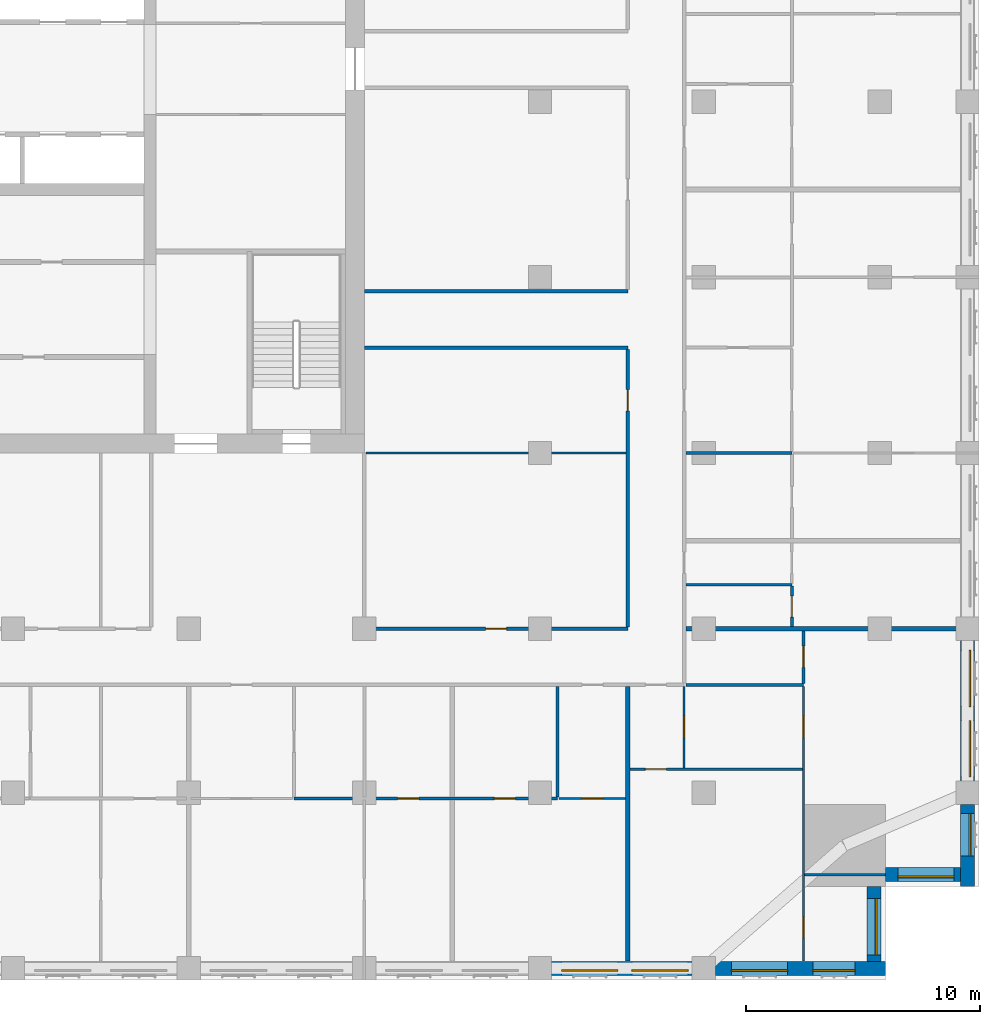
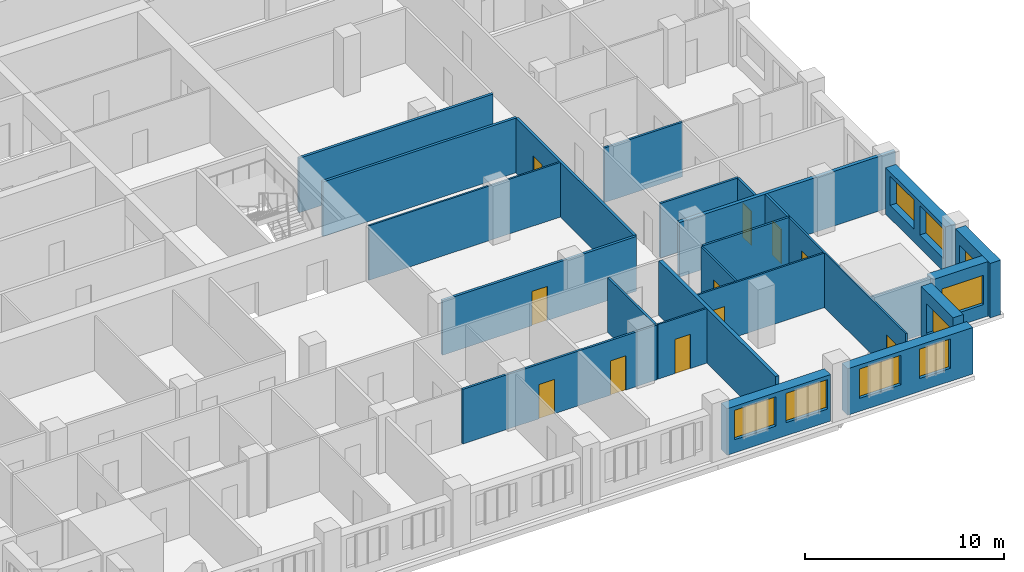
# One storey, part 6 of 14: 25 walls, 11 doors, 9 windows, 20 openings.
"""IFC4 building model written with IfcOpenShell, lengths in metres."""

from ifc_helpers import new_model, si_unit, direction, frame, frame_2d, origin, place, context, subcontext, project, spatial, rectangle, extrude, material, layer, layer_set, type_object, element, fill, save


model = new_model("IFC4")

# Units and contexts
model_context = context("Model", 3, precision=1e-05, world=origin(), true_north=direction((0.0, 1.0)))
body_context = subcontext(model_context, "Body", "Model", "MODEL_VIEW")
ifc_project = project(units=[si_unit("LENGTHUNIT", "METRE"), si_unit("AREAUNIT", "SQUARE_METRE"), si_unit("VOLUMEUNIT", "CUBIC_METRE"), si_unit("PLANEANGLEUNIT", "RADIAN"), si_unit("MASSUNIT", "GRAM", prefix="KILO")], contexts=[model_context])

# Site, building, storey
site_placement = place(None, origin())
site = spatial("IfcSite", under=ifc_project, at=site_placement, CompositionType="ELEMENT")
building_placement = place(site_placement, origin())
building = spatial("IfcBuilding", under=site, at=building_placement, Name="Tamorin Gate", CompositionType="ELEMENT")
storey_placement = place(building_placement, frame((0.0, 0.0, 151.800048828125)))
storey = spatial("IfcBuildingStorey", under=building, at=storey_placement, Name="L37", CompositionType="ELEMENT", Elevation=151.800048828125)

# Wall, openings, windows
ifc_material_1 = material(Name="Precast concrete C40/50", Category="concrete")
ifc_layer_1 = layer(ifc_material_1, 0.60009765625)
ifc_layer_set_1 = layer_set([ifc_layer_1], Name="Precast concrete C40/50")
wall_type_1 = type_object("IfcWallType", Name="Board-marked concrete facade panel 600", PredefinedType="SOLIDWALL", material=ifc_layer_set_1)
wall_1_placement = place(storey_placement, frame((68.0, 38.0, 0.0), z_axis=(0.0, 0.0, 1.0), x_axis=(1.0, 0.0, 0.0)))
wall_1 = element("IfcWall", 1, at=wall_1_placement, inside=storey, type_object=wall_type_1, Name="Facade panel", PredefinedType="SOLIDWALL", context=body_context, shape_type="SweptSolid", body=[
    extrude(rectangle(XDim=6.0, YDim=0.60009765625, at=frame_2d((3.0, 0.0))), origin(), (0.0, 0.0, 1.0), 2.849853515625),
])
opening_1_placement = place(wall_1_placement, frame((0.425048828125, 0.0, 0.800048828125)))
opening_1 = element("IfcOpeningElement", 2, at=opening_1_placement, cuts=wall_1, Name="Opening WN1", PredefinedType="OPENING", context=body_context, shape_type="SweptSolid", body=[
    extrude(rectangle(XDim=2.39990234375, YDim=1.800048828125, at=frame_2d((1.199951171875, 0.89990234375))), frame((0.0, 0.31005859375, 0.0), z_axis=(0.0, -1.0, 0.0), x_axis=(1.0, 0.0, 0.0)), (0.0, 0.0, 1.0), 0.6201171875),
])
opening_2_placement = place(wall_1_placement, frame((3.425048828125, 0.0, 0.800048828125)))
opening_2 = element("IfcOpeningElement", 3, at=opening_2_placement, cuts=wall_1, Name="Opening WN1", PredefinedType="OPENING", context=body_context, shape_type="SweptSolid", body=[
    extrude(rectangle(XDim=2.39990234375, YDim=1.800048828125, at=frame_2d((1.199951171875, 0.89990234375))), frame((0.0, 0.31005859375, 0.0), z_axis=(0.0, -1.0, 0.0), x_axis=(1.0, 0.0, 0.0)), (0.0, 0.0, 1.0), 0.6201171875),
])
ifc_material_2 = material(Name="Clear glass in aluminium frame", Category="aluminium")
window_type_1 = type_object("IfcWindowType", Name="Deep-set window 2400x1800", PartitioningType="SINGLE_PANEL", PredefinedType="WINDOW", material=ifc_material_2)
window_1_placement = place(opening_1_placement, origin())
window_1 = element("IfcWindow", 4, at=window_1_placement, inside=storey, type_object=window_type_1, Name="Deep-set window", OverallHeight=1.800048828125, OverallWidth=2.39990234375, PartitioningType="SINGLE_PANEL", PredefinedType="WINDOW", context=body_context, shape_type="SweptSolid", body=[
    extrude(rectangle(XDim=2.39990234375, YDim=1.800048828125, at=frame_2d((1.199951171875, 0.89990234375))), frame((0.0, -0.070068359375, 0.0), z_axis=(0.0, -1.0, 0.0), x_axis=(1.0, 0.0, 0.0)), (0.0, 0.0, 1.0), 0.06005859375),
])
fill(opening_1, window_1)
window_2_placement = place(opening_2_placement, origin())
window_2 = element("IfcWindow", 5, at=window_2_placement, inside=storey, type_object=window_type_1, Name="Deep-set window", OverallHeight=1.800048828125, OverallWidth=2.39990234375, PartitioningType="SINGLE_PANEL", PredefinedType="WINDOW", context=body_context, shape_type="SweptSolid", body=[
    extrude(rectangle(XDim=2.39990234375, YDim=1.800048828125, at=frame_2d((1.199951171875, 0.89990234375))), frame((0.0, -0.070068359375, 0.0), z_axis=(0.0, -1.0, 0.0), x_axis=(1.0, 0.0, 0.0)), (0.0, 0.0, 1.0), 0.06005859375),
])
fill(opening_2, window_2)

wall_2_placement = place(storey_placement, frame((75.0, 38.0, 0.0), z_axis=(0.0, 0.0, 1.0), x_axis=(1.0, 0.0, 0.0)))
wall_2 = element("IfcWall", 6, at=wall_2_placement, inside=storey, type_object=wall_type_1, Name="Facade panel", PredefinedType="SOLIDWALL", context=body_context, shape_type="SweptSolid", body=[
    extrude(rectangle(XDim=7.25, YDim=0.60009765625, at=frame_2d((3.625, 0.0))), origin(), (0.0, 0.0, 1.0), 2.849853515625),
])
opening_3_placement = place(wall_2_placement, frame((0.675048828125, 0.0, 0.800048828125)))
opening_3 = element("IfcOpeningElement", 7, at=opening_3_placement, cuts=wall_2, Name="Opening WN1", PredefinedType="OPENING", context=body_context, shape_type="SweptSolid", body=[
    extrude(rectangle(XDim=2.39990234375, YDim=1.800048828125, at=frame_2d((1.199951171875, 0.89990234375))), frame((0.0, 0.31005859375, 0.0), z_axis=(0.0, -1.0, 0.0), x_axis=(1.0, 0.0, 0.0)), (0.0, 0.0, 1.0), 0.6201171875),
])
opening_4_placement = place(wall_2_placement, frame((4.14990234375, 0.0, 0.800048828125)))
opening_4 = element("IfcOpeningElement", 8, at=opening_4_placement, cuts=wall_2, Name="Opening WN2", PredefinedType="OPENING", context=body_context, shape_type="SweptSolid", body=[
    extrude(rectangle(XDim=1.800048828125, YDim=1.800048828125, at=frame_2d((0.89990234375, 0.89990234375))), frame((0.0, 0.31005859375, 0.0), z_axis=(0.0, -1.0, 0.0), x_axis=(1.0, 0.0, 0.0)), (0.0, 0.0, 1.0), 0.6201171875),
])
window_type_2 = type_object("IfcWindowType", Name="Deep-set window 1800x1800", PartitioningType="SINGLE_PANEL", PredefinedType="WINDOW", material=ifc_material_2)
window_3_placement = place(opening_4_placement, origin())
window_3 = element("IfcWindow", 9, at=window_3_placement, inside=storey, type_object=window_type_2, Name="Deep-set window", OverallHeight=1.800048828125, OverallWidth=1.800048828125, PartitioningType="SINGLE_PANEL", PredefinedType="WINDOW", context=body_context, shape_type="SweptSolid", body=[
    extrude(rectangle(XDim=1.800048828125, YDim=1.800048828125, at=frame_2d((0.89990234375, 0.89990234375))), frame((0.0, -0.070068359375, 0.0), z_axis=(0.0, -1.0, 0.0), x_axis=(1.0, 0.0, 0.0)), (0.0, 0.0, 1.0), 0.06005859375),
])
fill(opening_4, window_3)
window_4_placement = place(opening_3_placement, origin())
window_4 = element("IfcWindow", 10, at=window_4_placement, inside=storey, type_object=window_type_1, Name="Deep-set window", OverallHeight=1.800048828125, OverallWidth=2.39990234375, PartitioningType="SINGLE_PANEL", PredefinedType="WINDOW", context=body_context, shape_type="SweptSolid", body=[
    extrude(rectangle(XDim=2.39990234375, YDim=1.800048828125, at=frame_2d((1.199951171875, 0.89990234375))), frame((0.0, -0.070068359375, 0.0), z_axis=(0.0, -1.0, 0.0), x_axis=(1.0, 0.0, 0.0)), (0.0, 0.0, 1.0), 0.06005859375),
])
fill(opening_3, window_4)

# Wall, opening, window
wall_3_placement = place(storey_placement, frame((81.75, 38.300048828125, 0.0), z_axis=(0.0, 0.0, 1.0), x_axis=(0.0, 1.0, 0.0)))
wall_3 = element("IfcWall", 11, at=wall_3_placement, inside=storey, type_object=wall_type_1, Name="Facade panel", PredefinedType="SOLIDWALL", context=body_context, shape_type="SweptSolid", body=[
    extrude(rectangle(XDim=3.199951171875, YDim=0.60009765625, at=frame_2d((1.60009765625, 0.0))), origin(), (0.0, 0.0, 1.0), 3.349853515625),
])
opening_5_placement = place(wall_3_placement, frame((0.27490234375, 0.0, 0.800048828125)))
opening_5 = element("IfcOpeningElement", 12, at=opening_5_placement, cuts=wall_3, Name="Opening WN1", PredefinedType="OPENING", context=body_context, shape_type="SweptSolid", body=[
    extrude(rectangle(XDim=2.39990234375, YDim=1.800048828125, at=frame_2d((1.199951171875, 0.89990234375))), frame((0.0, 0.31005859375, 0.0), z_axis=(0.0, -1.0, 0.0), x_axis=(1.0, 0.0, 0.0)), (0.0, 0.0, 1.0), 0.6201171875),
])
window_5_placement = place(opening_5_placement, origin())
window_5 = element("IfcWindow", 13, at=window_5_placement, inside=storey, type_object=window_type_1, Name="Deep-set window", OverallHeight=1.800048828125, OverallWidth=2.39990234375, PartitioningType="SINGLE_PANEL", PredefinedType="WINDOW", context=body_context, shape_type="SweptSolid", body=[
    extrude(rectangle(XDim=2.39990234375, YDim=1.800048828125, at=frame_2d((1.199951171875, 0.89990234375))), frame((0.0, -0.070068359375, 0.0), z_axis=(0.0, -1.0, 0.0), x_axis=(1.0, 0.0, 0.0)), (0.0, 0.0, 1.0), 0.06005859375),
])
fill(opening_5, window_5)

wall_4_placement = place(storey_placement, frame((82.25, 42.0, 0.0), z_axis=(0.0, 0.0, 1.0), x_axis=(1.0, 0.0, 0.0)))
wall_4 = element("IfcWall", 14, at=wall_4_placement, inside=storey, type_object=wall_type_1, Name="Facade panel", PredefinedType="SOLIDWALL", context=body_context, shape_type="SweptSolid", body=[
    extrude(rectangle(XDim=3.199951171875, YDim=0.60009765625, at=frame_2d((1.60009765625, 0.0))), origin(), (0.0, 0.0, 1.0), 3.349853515625),
])
opening_6_placement = place(wall_4_placement, frame((0.52490234375, 0.0, 0.800048828125)))
opening_6 = element("IfcOpeningElement", 15, at=opening_6_placement, cuts=wall_4, Name="Opening WN1", PredefinedType="OPENING", context=body_context, shape_type="SweptSolid", body=[
    extrude(rectangle(XDim=2.39990234375, YDim=1.800048828125, at=frame_2d((1.199951171875, 0.89990234375))), frame((0.0, 0.31005859375, 0.0), z_axis=(0.0, -1.0, 0.0), x_axis=(1.0, 0.0, 0.0)), (0.0, 0.0, 1.0), 0.6201171875),
])
window_6_placement = place(opening_6_placement, origin())
window_6 = element("IfcWindow", 16, at=window_6_placement, inside=storey, type_object=window_type_1, Name="Deep-set window", OverallHeight=1.800048828125, OverallWidth=2.39990234375, PartitioningType="SINGLE_PANEL", PredefinedType="WINDOW", context=body_context, shape_type="SweptSolid", body=[
    extrude(rectangle(XDim=2.39990234375, YDim=1.800048828125, at=frame_2d((1.199951171875, 0.89990234375))), frame((0.0, -0.070068359375, 0.0), z_axis=(0.0, -1.0, 0.0), x_axis=(1.0, 0.0, 0.0)), (0.0, 0.0, 1.0), 0.06005859375),
])
fill(opening_6, window_6)

wall_5_placement = place(storey_placement, frame((85.75, 41.5, 0.0), z_axis=(0.0, 0.0, 1.0), x_axis=(0.0, 1.0, 0.0)))
wall_5 = element("IfcWall", 17, at=wall_5_placement, inside=storey, type_object=wall_type_1, Name="Facade panel", PredefinedType="SOLIDWALL", context=body_context, shape_type="SweptSolid", body=[
    extrude(rectangle(XDim=3.5, YDim=0.60009765625, at=frame_2d((1.75, 0.0))), origin(), (0.0, 0.0, 1.0), 3.349853515625),
])
opening_7_placement = place(wall_5_placement, frame((1.300048828125, 0.0, 0.800048828125)))
opening_7 = element("IfcOpeningElement", 18, at=opening_7_placement, cuts=wall_5, Name="Opening WN2", PredefinedType="OPENING", context=body_context, shape_type="SweptSolid", body=[
    extrude(rectangle(XDim=1.800048828125, YDim=1.800048828125, at=frame_2d((0.89990234375, 0.89990234375))), frame((0.0, 0.31005859375, 0.0), z_axis=(0.0, -1.0, 0.0), x_axis=(1.0, 0.0, 0.0)), (0.0, 0.0, 1.0), 0.6201171875),
])
window_7_placement = place(opening_7_placement, origin())
window_7 = element("IfcWindow", 19, at=window_7_placement, inside=storey, type_object=window_type_2, Name="Deep-set window", OverallHeight=1.800048828125, OverallWidth=1.800048828125, PartitioningType="SINGLE_PANEL", PredefinedType="WINDOW", context=body_context, shape_type="SweptSolid", body=[
    extrude(rectangle(XDim=1.800048828125, YDim=1.800048828125, at=frame_2d((0.89990234375, 0.89990234375))), frame((0.0, -0.070068359375, 0.0), z_axis=(0.0, -1.0, 0.0), x_axis=(1.0, 0.0, 0.0)), (0.0, 0.0, 1.0), 0.06005859375),
])
fill(opening_7, window_7)

# Wall, openings, windows
wall_6_placement = place(storey_placement, frame((85.75, 46.0, 0.0), z_axis=(0.0, 0.0, 1.0), x_axis=(0.0, 1.0, 0.0)))
wall_6 = element("IfcWall", 20, at=wall_6_placement, inside=storey, type_object=wall_type_1, Name="Facade panel", PredefinedType="SOLIDWALL", context=body_context, shape_type="SweptSolid", body=[
    extrude(rectangle(XDim=6.0, YDim=0.60009765625, at=frame_2d((3.0, 0.0))), origin(), (0.0, 0.0, 1.0), 2.849853515625),
])
opening_8_placement = place(wall_6_placement, frame((0.175048828125, 0.0, 0.800048828125)))
opening_8 = element("IfcOpeningElement", 21, at=opening_8_placement, cuts=wall_6, Name="Opening WN1", PredefinedType="OPENING", context=body_context, shape_type="SweptSolid", body=[
    extrude(rectangle(XDim=2.39990234375, YDim=1.800048828125, at=frame_2d((1.199951171875, 0.89990234375))), frame((0.0, 0.31005859375, 0.0), z_axis=(0.0, -1.0, 0.0), x_axis=(1.0, 0.0, 0.0)), (0.0, 0.0, 1.0), 0.6201171875),
])
opening_9_placement = place(wall_6_placement, frame((3.175048828125, 0.0, 0.800048828125)))
opening_9 = element("IfcOpeningElement", 22, at=opening_9_placement, cuts=wall_6, Name="Opening WN1", PredefinedType="OPENING", context=body_context, shape_type="SweptSolid", body=[
    extrude(rectangle(XDim=2.39990234375, YDim=1.800048828125, at=frame_2d((1.199951171875, 0.89990234375))), frame((0.0, 0.31005859375, 0.0), z_axis=(0.0, -1.0, 0.0), x_axis=(1.0, 0.0, 0.0)), (0.0, 0.0, 1.0), 0.6201171875),
])
window_8_placement = place(opening_8_placement, origin())
window_8 = element("IfcWindow", 23, at=window_8_placement, inside=storey, type_object=window_type_1, Name="Deep-set window", OverallHeight=1.800048828125, OverallWidth=2.39990234375, PartitioningType="SINGLE_PANEL", PredefinedType="WINDOW", context=body_context, shape_type="SweptSolid", body=[
    extrude(rectangle(XDim=2.39990234375, YDim=1.800048828125, at=frame_2d((1.199951171875, 0.89990234375))), frame((0.0, -0.070068359375, 0.0), z_axis=(0.0, -1.0, 0.0), x_axis=(1.0, 0.0, 0.0)), (0.0, 0.0, 1.0), 0.06005859375),
])
fill(opening_8, window_8)
window_9_placement = place(opening_9_placement, origin())
window_9 = element("IfcWindow", 24, at=window_9_placement, inside=storey, type_object=window_type_1, Name="Deep-set window", OverallHeight=1.800048828125, OverallWidth=2.39990234375, PartitioningType="SINGLE_PANEL", PredefinedType="WINDOW", context=body_context, shape_type="SweptSolid", body=[
    extrude(rectangle(XDim=2.39990234375, YDim=1.800048828125, at=frame_2d((1.199951171875, 0.89990234375))), frame((0.0, -0.070068359375, 0.0), z_axis=(0.0, -1.0, 0.0), x_axis=(1.0, 0.0, 0.0)), (0.0, 0.0, 1.0), 0.06005859375),
])
fill(opening_9, window_9)

# Wall, opening, door
ifc_material_3 = material(Name="Gypsum board partition")
ifc_layer_2 = layer(ifc_material_3, 0.14990234375)
ifc_layer_set_2 = layer_set([ifc_layer_2], Name="Corridor wall 150")
wall_type_2 = type_object("IfcWallType", Name="Corridor wall 150", PredefinedType="PARTITIONING", material=ifc_layer_set_2)
wall_7_placement = place(storey_placement, frame((60.0, 52.5, 0.0), z_axis=(0.0, 0.0, 1.0), x_axis=(1.0, 0.0, 0.0)))
wall_7 = element("IfcWall", 25, at=wall_7_placement, inside=storey, type_object=wall_type_2, Name="Corridor wall 150", PredefinedType="PARTITIONING", context=body_context, shape_type="SweptSolid", body=[
    extrude(rectangle(XDim=11.25, YDim=0.14990234375, at=frame_2d((5.625, 0.0))), origin(), (0.0, 0.0, 1.0), 3.349853515625),
])
opening_10_placement = place(wall_7_placement, frame((5.175048828125, 0.0, 0.0)))
opening_10 = element("IfcOpeningElement", 26, at=opening_10_placement, cuts=wall_7, Name="Opening DS3072", PredefinedType="OPENING", context=body_context, shape_type="SweptSolid", body=[
    extrude(rectangle(XDim=0.89990234375, YDim=2.10009765625, at=frame_2d((0.449951171875, 1.050048828125))), frame((0.0, 0.0849609375, 0.0), z_axis=(0.0, -1.0, 0.0), x_axis=(1.0, 0.0, 0.0)), (0.0, 0.0, 1.0), 0.169921875),
])
ifc_material_4 = material(Name="Timber door leaf", Category="wood")
door_type_1 = type_object("IfcDoorType", Name="Door 900 x 2100 FD30S", OperationType="NOTDEFINED", PredefinedType="DOOR", material=ifc_material_4)
door_1_placement = place(opening_10_placement, origin())
door_1 = element("IfcDoor", 27, at=door_1_placement, inside=storey, type_object=door_type_1, Name="Door DS3072", OperationType="SINGLE_SWING_LEFT", OverallHeight=2.10009765625, OverallWidth=0.89990234375, PredefinedType="DOOR", context=body_context, shape_type="SweptSolid", body=[
    extrude(rectangle(XDim=0.89990234375, YDim=2.10009765625, at=frame_2d((0.449951171875, 1.050048828125))), frame((0.0, 0.02490234375, 0.0), z_axis=(0.0, -1.0, 0.0), x_axis=(1.0, 0.0, 0.0)), (0.0, 0.0, 1.0), 0.050048828125),
])
fill(opening_10, door_1)

wall_8_placement = place(storey_placement, frame((71.25, 52.574951171875, 0.0), z_axis=(0.0, 0.0, 1.0), x_axis=(0.0, 1.0, 0.0)))
wall_8 = element("IfcWall", 28, at=wall_8_placement, inside=storey, type_object=wall_type_2, Name="Corridor wall 150", PredefinedType="PARTITIONING", context=body_context, shape_type="SweptSolid", body=[
    extrude(rectangle(XDim=11.85009765625, YDim=0.14990234375, at=frame_2d((5.925048828125, 0.0))), origin(), (0.0, 0.0, 1.0), 3.349853515625),
])
opening_11_placement = place(wall_8_placement, frame((9.22509765625, 0.0, 0.0)))
opening_11 = element("IfcOpeningElement", 29, at=opening_11_placement, cuts=wall_8, Name="Opening DS3075", PredefinedType="OPENING", context=body_context, shape_type="SweptSolid", body=[
    extrude(rectangle(XDim=0.89990234375, YDim=2.10009765625, at=frame_2d((0.449951171875, 1.050048828125))), frame((0.0, 0.0849609375, 0.0), z_axis=(0.0, -1.0, 0.0), x_axis=(1.0, 0.0, 0.0)), (0.0, 0.0, 1.0), 0.169921875),
])
door_2_placement = place(opening_11_placement, origin())
door_2 = element("IfcDoor", 30, at=door_2_placement, inside=storey, type_object=door_type_1, Name="Door DS3075", OperationType="SINGLE_SWING_LEFT", OverallHeight=2.10009765625, OverallWidth=0.89990234375, PredefinedType="DOOR", context=body_context, shape_type="SweptSolid", body=[
    extrude(rectangle(XDim=0.89990234375, YDim=2.10009765625, at=frame_2d((0.449951171875, 1.050048828125))), frame((0.0, 0.02490234375, 0.0), z_axis=(0.0, -1.0, 0.0), x_axis=(1.0, 0.0, 0.0)), (0.0, 0.0, 1.0), 0.050048828125),
])
fill(opening_11, door_2)

# Walls
ifc_layer_3 = layer(ifc_material_3, 0.199951171875)
ifc_layer_set_3 = layer_set([ifc_layer_3], Name="Demising wall 200")
wall_type_3 = type_object("IfcWallType", Name="Demising wall 200", PredefinedType="PARTITIONING", material=ifc_layer_set_3)
wall_9_placement = place(storey_placement, frame((73.72509765625, 52.5, 0.0), z_axis=(0.0, 0.0, 1.0), x_axis=(1.0, 0.0, 0.0)))
element("IfcWall", 31, at=wall_9_placement, inside=storey, type_object=wall_type_3, Name="Demising wall 200", PredefinedType="PARTITIONING", context=body_context, shape_type="SweptSolid", body=[
    extrude(rectangle(XDim=12.52490234375, YDim=0.199951171875, at=frame_2d((6.262451171875, 0.0))), origin(), (0.0, 0.0, 1.0), 3.349853515625),
])
wall_10_placement = place(storey_placement, frame((71.25, 38.31005859375, 0.0), z_axis=(0.0, 0.0, 1.0), x_axis=(0.0, 1.0, 0.0)))
element("IfcWall", 32, at=wall_10_placement, inside=storey, type_object=wall_type_3, Name="Demising wall 200", PredefinedType="PARTITIONING", context=body_context, shape_type="SweptSolid", body=[
    extrude(rectangle(XDim=11.71484375, YDim=0.199951171875, at=frame_2d((5.857421875, 0.0))), origin(), (0.0, 0.0, 1.0), 3.349853515625),
])
ifc_layer_4 = layer(ifc_material_3, 0.14990234375)
ifc_layer_set_4 = layer_set([ifc_layer_4], Name="Lobby wall 150")
wall_type_4 = type_object("IfcWallType", Name="Lobby wall 150", PredefinedType="PARTITIONING", material=ifc_layer_set_4)
for number, where, z_axis, x_axis, name in (
    (33, (60.0, 64.5, 0.0), (0.0, 0.0, 1.0), (1.0, 0.0, 0.0), "Lobby wall 150"),
    (34, (60.0, 66.89990234375, 0.0), (0.0, 0.0, 1.0), (1.0, 0.0, 0.0), "Lobby wall 150"),
):
    element("IfcWall", number, at=place(storey_placement, frame(where, z_axis=z_axis, x_axis=x_axis)), inside=storey, type_object=wall_type_4, Name=name, PredefinedType="PARTITIONING", context=body_context, shape_type="SweptSolid", body=[
        extrude(rectangle(XDim=11.25, YDim=0.14990234375, at=frame_2d((5.625, 0.0))), origin(), (0.0, 0.0, 1.0), 3.349853515625),
    ])
ifc_layer_5 = layer(ifc_material_3, 0.10009765625)
ifc_layer_set_5 = layer_set([ifc_layer_5], Name="Room partition 100")
wall_type_5 = type_object("IfcWallType", Name="Room partition 100", PredefinedType="PARTITIONING", material=ifc_layer_set_5)
wall_11_placement = place(storey_placement, frame((78.800048828125, 42.0, 0.0), z_axis=(0.0, 0.0, 1.0), x_axis=(1.0, 0.0, 0.0)))
element("IfcWall", 35, at=wall_11_placement, inside=storey, type_object=wall_type_5, Name="Room partition 100", PredefinedType="PARTITIONING", context=body_context, shape_type="SweptSolid", body=[
    extrude(rectangle(XDim=3.43994140625, YDim=0.10009765625, at=frame_2d((1.719970703125, 0.0))), origin(), (0.0, 0.0, 1.0), 3.349853515625),
])

# Wall, opening, door
wall_12_placement = place(storey_placement, frame((68.3125, 45.25, 0.0), z_axis=(0.0, 0.0, 1.0), x_axis=(1.0, 0.0, 0.0)))
wall_12 = element("IfcWall", 36, at=wall_12_placement, inside=storey, type_object=wall_type_5, Name="Room partition 100", PredefinedType="PARTITIONING", context=body_context, shape_type="SweptSolid", body=[
    extrude(rectangle(XDim=2.83740234375, YDim=0.10009765625, at=frame_2d((1.418701171875, 0.0))), origin(), (0.0, 0.0, 1.0), 3.349853515625),
])
opening_12_placement = place(wall_12_placement, frame((0.987548828125, 0.0, 0.0)))
opening_12 = element("IfcOpeningElement", 37, at=opening_12_placement, cuts=wall_12, Name="Opening DS3017", PredefinedType="OPENING", context=body_context, shape_type="SweptSolid", body=[
    extrude(rectangle(XDim=0.89990234375, YDim=2.10009765625, at=frame_2d((0.449951171875, 1.050048828125))), frame((0.0, 0.06005859375, 0.0), z_axis=(0.0, -1.0, 0.0), x_axis=(1.0, 0.0, 0.0)), (0.0, 0.0, 1.0), 0.1201171875),
])
door_type_2 = type_object("IfcDoorType", Name="Door 900 x 2100", OperationType="NOTDEFINED", PredefinedType="DOOR", material=ifc_material_4)
door_3_placement = place(opening_12_placement, origin())
door_3 = element("IfcDoor", 38, at=door_3_placement, inside=storey, type_object=door_type_2, Name="Door DS3017", OperationType="SINGLE_SWING_LEFT", OverallHeight=2.10009765625, OverallWidth=0.89990234375, PredefinedType="DOOR", context=body_context, shape_type="SweptSolid", body=[
    extrude(rectangle(XDim=0.89990234375, YDim=2.10009765625, at=frame_2d((0.449951171875, 1.050048828125))), frame((0.0, 0.02490234375, 0.0), z_axis=(0.0, -1.0, 0.0), x_axis=(1.0, 0.0, 0.0)), (0.0, 0.0, 1.0), 0.050048828125),
])
fill(opening_12, door_3)

wall_13_placement = place(storey_placement, frame((71.35009765625, 46.5, 0.0), z_axis=(0.0, 0.0, 1.0), x_axis=(1.0, 0.0, 0.0)))
wall_13 = element("IfcWall", 39, at=wall_13_placement, inside=storey, type_object=wall_type_5, Name="Room partition 100", PredefinedType="PARTITIONING", context=body_context, shape_type="SweptSolid", body=[
    extrude(rectangle(XDim=7.349853515625, YDim=0.10009765625, at=frame_2d((3.6748046875, 0.0))), origin(), (0.0, 0.0, 1.0), 3.349853515625),
])
opening_13_placement = place(wall_13_placement, frame((0.64990234375, 0.0, 0.0)))
opening_13 = element("IfcOpeningElement", 40, at=opening_13_placement, cuts=wall_13, Name="Opening DS3057", PredefinedType="OPENING", context=body_context, shape_type="SweptSolid", body=[
    extrude(rectangle(XDim=0.89990234375, YDim=2.10009765625, at=frame_2d((0.449951171875, 1.050048828125))), frame((0.0, 0.06005859375, 0.0), z_axis=(0.0, -1.0, 0.0), x_axis=(1.0, 0.0, 0.0)), (0.0, 0.0, 1.0), 0.1201171875),
])
door_4_placement = place(opening_13_placement, origin())
door_4 = element("IfcDoor", 41, at=door_4_placement, inside=storey, type_object=door_type_2, Name="Door DS3057", OperationType="SINGLE_SWING_RIGHT", OverallHeight=2.10009765625, OverallWidth=0.89990234375, PredefinedType="DOOR", context=body_context, shape_type="SweptSolid", body=[
    extrude(rectangle(XDim=0.89990234375, YDim=2.10009765625, at=frame_2d((0.449951171875, 1.050048828125))), frame((0.0, 0.02490234375, 0.0), z_axis=(0.0, -1.0, 0.0), x_axis=(1.0, 0.0, 0.0)), (0.0, 0.0, 1.0), 0.050048828125),
])
fill(opening_13, door_4)

# Wall
wall_14_placement = place(storey_placement, frame((60.074951171875, 60.0, 0.0), z_axis=(0.0, 0.0, 1.0), x_axis=(1.0, 0.0, 0.0)))
element("IfcWall", 42, at=wall_14_placement, inside=storey, type_object=wall_type_5, Name="Room partition 100", PredefinedType="PARTITIONING", context=body_context, shape_type="SweptSolid", body=[
    extrude(rectangle(XDim=11.10009765625, YDim=0.10009765625, at=frame_2d((5.550048828125, 0.0))), origin(), (0.0, 0.0, 1.0), 3.349853515625),
])

# Wall, opening, door
wall_15_placement = place(storey_placement, frame((73.64990234375, 46.550048828125, 0.0), z_axis=(0.0, 0.0, 1.0), x_axis=(0.0, 1.0, 0.0)))
wall_15 = element("IfcWall", 43, at=wall_15_placement, inside=storey, type_object=wall_type_5, Name="Room partition 100", PredefinedType="PARTITIONING", context=body_context, shape_type="SweptSolid", body=[
    extrude(rectangle(XDim=3.474853515625, YDim=0.10009765625, at=frame_2d((1.7373046875, 0.0))), origin(), (0.0, 0.0, 1.0), 3.349853515625),
])
opening_14_placement = place(wall_15_placement, frame((1.300048828125, 0.0, 0.0)))
opening_14 = element("IfcOpeningElement", 44, at=opening_14_placement, cuts=wall_15, Name="Opening DS3058", PredefinedType="OPENING", context=body_context, shape_type="SweptSolid", body=[
    extrude(rectangle(XDim=0.89990234375, YDim=2.10009765625, at=frame_2d((0.449951171875, 1.050048828125))), frame((0.0, 0.06005859375, 0.0), z_axis=(0.0, -1.0, 0.0), x_axis=(1.0, 0.0, 0.0)), (0.0, 0.0, 1.0), 0.1201171875),
])
door_5_placement = place(opening_14_placement, origin())
door_5 = element("IfcDoor", 45, at=door_5_placement, inside=storey, type_object=door_type_2, Name="Door DS3058", OperationType="SINGLE_SWING_RIGHT", OverallHeight=2.10009765625, OverallWidth=0.89990234375, PredefinedType="DOOR", context=body_context, shape_type="SweptSolid", body=[
    extrude(rectangle(XDim=0.89990234375, YDim=2.10009765625, at=frame_2d((0.449951171875, 1.050048828125))), frame((0.0, 0.02490234375, 0.0), z_axis=(0.0, -1.0, 0.0), x_axis=(1.0, 0.0, 0.0)), (0.0, 0.0, 1.0), 0.050048828125),
])
fill(opening_14, door_5)

# Wall, openings, doors
wall_16_placement = place(storey_placement, frame((78.75, 38.31005859375, 0.0), z_axis=(0.0, 0.0, 1.0), x_axis=(0.0, 1.0, 0.0)))
wall_16 = element("IfcWall", 46, at=wall_16_placement, inside=storey, type_object=wall_type_5, Name="Room partition 100", PredefinedType="PARTITIONING", context=body_context, shape_type="SweptSolid", body=[
    extrude(rectangle(XDim=11.7275390625, YDim=0.10009765625, at=frame_2d((5.86376953125, 0.0))), origin(), (0.0, 0.0, 1.0), 3.349853515625),
])
opening_15_placement = place(wall_16_placement, frame((0.989990234375, 0.0, 0.0)))
opening_15 = element("IfcOpeningElement", 47, at=opening_15_placement, cuts=wall_16, Name="Opening DS3059", PredefinedType="OPENING", context=body_context, shape_type="SweptSolid", body=[
    extrude(rectangle(XDim=0.89990234375, YDim=2.10009765625, at=frame_2d((0.449951171875, 1.050048828125))), frame((0.0, 0.06005859375, 0.0), z_axis=(0.0, -1.0, 0.0), x_axis=(1.0, 0.0, 0.0)), (0.0, 0.0, 1.0), 0.1201171875),
])
opening_16_placement = place(wall_16_placement, frame((9.5400390625, 0.0, 0.0)))
opening_16 = element("IfcOpeningElement", 48, at=opening_16_placement, cuts=wall_16, Name="Opening DS3060", PredefinedType="OPENING", context=body_context, shape_type="SweptSolid", body=[
    extrude(rectangle(XDim=0.89990234375, YDim=2.10009765625, at=frame_2d((0.449951171875, 1.050048828125))), frame((0.0, 0.06005859375, 0.0), z_axis=(0.0, -1.0, 0.0), x_axis=(1.0, 0.0, 0.0)), (0.0, 0.0, 1.0), 0.1201171875),
])
door_6_placement = place(opening_15_placement, origin())
door_6 = element("IfcDoor", 49, at=door_6_placement, inside=storey, type_object=door_type_2, Name="Door DS3059", OperationType="SINGLE_SWING_LEFT", OverallHeight=2.10009765625, OverallWidth=0.89990234375, PredefinedType="DOOR", context=body_context, shape_type="SweptSolid", body=[
    extrude(rectangle(XDim=0.89990234375, YDim=2.10009765625, at=frame_2d((0.449951171875, 1.050048828125))), frame((0.0, 0.02490234375, 0.0), z_axis=(0.0, -1.0, 0.0), x_axis=(1.0, 0.0, 0.0)), (0.0, 0.0, 1.0), 0.050048828125),
])
fill(opening_15, door_6)
door_7_placement = place(opening_16_placement, origin())
door_7 = element("IfcDoor", 50, at=door_7_placement, inside=storey, type_object=door_type_2, Name="Door DS3060", OperationType="SINGLE_SWING_RIGHT", OverallHeight=2.10009765625, OverallWidth=0.89990234375, PredefinedType="DOOR", context=body_context, shape_type="SweptSolid", body=[
    extrude(rectangle(XDim=0.89990234375, YDim=2.10009765625, at=frame_2d((0.449951171875, 1.050048828125))), frame((0.0, 0.02490234375, 0.0), z_axis=(0.0, -1.0, 0.0), x_axis=(1.0, 0.0, 0.0)), (0.0, 0.0, 1.0), 0.050048828125),
])
fill(opening_16, door_7)

ifc_layer_6 = layer(ifc_material_3, 0.125)
ifc_layer_set_6 = layer_set([ifc_layer_6], Name="Wet wall 125")
wall_type_6 = type_object("IfcWallType", Name="Wet wall 125", PredefinedType="PARTITIONING", material=ifc_layer_set_6)
wall_17_placement = place(storey_placement, frame((57.0, 45.25, 0.0), z_axis=(0.0, 0.0, 1.0), x_axis=(1.0, 0.0, 0.0)))
wall_17 = element("IfcWall", 51, at=wall_17_placement, inside=storey, type_object=wall_type_6, Name="Wet wall 125", PredefinedType="PARTITIONING", context=body_context, shape_type="SweptSolid", body=[
    extrude(rectangle(XDim=11.25, YDim=0.125, at=frame_2d((5.625, 0.0))), origin(), (0.0, 0.0, 1.0), 3.349853515625),
])
opening_17_placement = place(wall_17_placement, frame((4.425048828125, 0.0, 0.0)))
opening_17 = element("IfcOpeningElement", 52, at=opening_17_placement, cuts=wall_17, Name="Opening DS3013", PredefinedType="OPENING", context=body_context, shape_type="SweptSolid", body=[
    extrude(rectangle(XDim=0.89990234375, YDim=2.10009765625, at=frame_2d((0.449951171875, 1.050048828125))), frame((0.0, 0.072509765625, 0.0), z_axis=(0.0, -1.0, 0.0), x_axis=(1.0, 0.0, 0.0)), (0.0, 0.0, 1.0), 0.14501953125),
])
opening_18_placement = place(wall_17_placement, frame((8.550048828125, 0.0, 0.0)))
opening_18 = element("IfcOpeningElement", 53, at=opening_18_placement, cuts=wall_17, Name="Opening DS3015", PredefinedType="OPENING", context=body_context, shape_type="SweptSolid", body=[
    extrude(rectangle(XDim=0.89990234375, YDim=2.10009765625, at=frame_2d((0.449951171875, 1.050048828125))), frame((0.0, 0.072509765625, 0.0), z_axis=(0.0, -1.0, 0.0), x_axis=(1.0, 0.0, 0.0)), (0.0, 0.0, 1.0), 0.14501953125),
])
door_8_placement = place(opening_17_placement, origin())
door_8 = element("IfcDoor", 54, at=door_8_placement, inside=storey, type_object=door_type_2, Name="Door DS3013", OperationType="SINGLE_SWING_LEFT", OverallHeight=2.10009765625, OverallWidth=0.89990234375, PredefinedType="DOOR", context=body_context, shape_type="SweptSolid", body=[
    extrude(rectangle(XDim=0.89990234375, YDim=2.10009765625, at=frame_2d((0.449951171875, 1.050048828125))), frame((0.0, 0.02490234375, 0.0), z_axis=(0.0, -1.0, 0.0), x_axis=(1.0, 0.0, 0.0)), (0.0, 0.0, 1.0), 0.050048828125),
])
fill(opening_17, door_8)
door_9_placement = place(opening_18_placement, origin())
door_9 = element("IfcDoor", 55, at=door_9_placement, inside=storey, type_object=door_type_2, Name="Door DS3015", OperationType="SINGLE_SWING_LEFT", OverallHeight=2.10009765625, OverallWidth=0.89990234375, PredefinedType="DOOR", context=body_context, shape_type="SweptSolid", body=[
    extrude(rectangle(XDim=0.89990234375, YDim=2.10009765625, at=frame_2d((0.449951171875, 1.050048828125))), frame((0.0, 0.02490234375, 0.0), z_axis=(0.0, -1.0, 0.0), x_axis=(1.0, 0.0, 0.0)), (0.0, 0.0, 1.0), 0.050048828125),
])
fill(opening_18, door_9)

# Walls
wall_18_placement = place(storey_placement, frame((73.72509765625, 50.10009765625, 0.0), z_axis=(0.0, 0.0, 1.0), x_axis=(1.0, 0.0, 0.0)))
element("IfcWall", 56, at=wall_18_placement, inside=storey, type_object=wall_type_6, Name="Wet wall 125", PredefinedType="PARTITIONING", context=body_context, shape_type="SweptSolid", body=[
    extrude(rectangle(XDim=5.02490234375, YDim=0.125, at=frame_2d((2.512451171875, 0.0))), origin(), (0.0, 0.0, 1.0), 3.349853515625),
])
for number, where, z_axis, x_axis, name in (
    (57, (73.72509765625, 54.375, 0.0), (0.0, 0.0, 1.0), (1.0, 0.0, 0.0), "Wet wall 125"),
    (58, (73.72509765625, 60.0, 0.0), (0.0, 0.0, 1.0), (1.0, 0.0, 0.0), "Wet wall 125"),
):
    element("IfcWall", number, at=place(storey_placement, frame(where, z_axis=z_axis, x_axis=x_axis)), inside=storey, type_object=wall_type_6, Name=name, PredefinedType="PARTITIONING", context=body_context, shape_type="SweptSolid", body=[
        extrude(rectangle(XDim=4.52490234375, YDim=0.125, at=frame_2d((2.262451171875, 0.0))), origin(), (0.0, 0.0, 1.0), 3.349853515625),
    ])
wall_19_placement = place(storey_placement, frame((68.25, 45.3125, 0.0), z_axis=(0.0, 0.0, 1.0), x_axis=(0.0, 1.0, 0.0)))
element("IfcWall", 59, at=wall_19_placement, inside=storey, type_object=wall_type_6, Name="Wet wall 125", PredefinedType="PARTITIONING", context=body_context, shape_type="SweptSolid", body=[
    extrude(rectangle(XDim=4.71240234375, YDim=0.125, at=frame_2d((2.356201171875, 0.0))), origin(), (0.0, 0.0, 1.0), 3.349853515625),
])

# Wall, opening, door
wall_20_placement = place(storey_placement, frame((78.25, 52.60009765625, 0.0), z_axis=(0.0, 0.0, 1.0), x_axis=(0.0, 1.0, 0.0)))
wall_20 = element("IfcWall", 60, at=wall_20_placement, inside=storey, type_object=wall_type_6, Name="Wet wall 125", PredefinedType="PARTITIONING", context=body_context, shape_type="SweptSolid", body=[
    extrude(rectangle(XDim=1.71240234375, YDim=0.125, at=frame_2d((0.856201171875, 0.0))), origin(), (0.0, 0.0, 1.0), 3.349853515625),
])
opening_19_placement = place(wall_20_placement, frame((0.387451171875, 0.0, 0.0)))
opening_19 = element("IfcOpeningElement", 61, at=opening_19_placement, cuts=wall_20, Name="Opening DS3038", PredefinedType="OPENING", context=body_context, shape_type="SweptSolid", body=[
    extrude(rectangle(XDim=0.89990234375, YDim=2.10009765625, at=frame_2d((0.449951171875, 1.050048828125))), frame((0.0, 0.072509765625, 0.0), z_axis=(0.0, -1.0, 0.0), x_axis=(1.0, 0.0, 0.0)), (0.0, 0.0, 1.0), 0.14501953125),
])
door_10_placement = place(opening_19_placement, origin())
door_10 = element("IfcDoor", 62, at=door_10_placement, inside=storey, type_object=door_type_2, Name="Door DS3038", OperationType="SINGLE_SWING_LEFT", OverallHeight=2.10009765625, OverallWidth=0.89990234375, PredefinedType="DOOR", context=body_context, shape_type="SweptSolid", body=[
    extrude(rectangle(XDim=0.89990234375, YDim=2.10009765625, at=frame_2d((0.449951171875, 1.050048828125))), frame((0.0, 0.02490234375, 0.0), z_axis=(0.0, -1.0, 0.0), x_axis=(1.0, 0.0, 0.0)), (0.0, 0.0, 1.0), 0.050048828125),
])
fill(opening_19, door_10)

wall_21_placement = place(storey_placement, frame((78.75, 50.16259765625, 0.0), z_axis=(0.0, 0.0, 1.0), x_axis=(0.0, 1.0, 0.0)))
wall_21 = element("IfcWall", 63, at=wall_21_placement, inside=storey, type_object=wall_type_6, Name="Wet wall 125", PredefinedType="PARTITIONING", context=body_context, shape_type="SweptSolid", body=[
    extrude(rectangle(XDim=2.2373046875, YDim=0.125, at=frame_2d((1.11865234375, 0.0))), origin(), (0.0, 0.0, 1.0), 3.349853515625),
])
opening_20_placement = place(wall_21_placement, frame((0.6875, 0.0, 0.0)))
opening_20 = element("IfcOpeningElement", 64, at=opening_20_placement, cuts=wall_21, Name="Opening DS3061", PredefinedType="OPENING", context=body_context, shape_type="SweptSolid", body=[
    extrude(rectangle(XDim=0.89990234375, YDim=2.10009765625, at=frame_2d((0.449951171875, 1.050048828125))), frame((0.0, 0.072509765625, 0.0), z_axis=(0.0, -1.0, 0.0), x_axis=(1.0, 0.0, 0.0)), (0.0, 0.0, 1.0), 0.14501953125),
])
door_11_placement = place(opening_20_placement, origin())
door_11 = element("IfcDoor", 65, at=door_11_placement, inside=storey, type_object=door_type_2, Name="Door DS3061", OperationType="SINGLE_SWING_LEFT", OverallHeight=2.10009765625, OverallWidth=0.89990234375, PredefinedType="DOOR", context=body_context, shape_type="SweptSolid", body=[
    extrude(rectangle(XDim=0.89990234375, YDim=2.10009765625, at=frame_2d((0.449951171875, 1.050048828125))), frame((0.0, 0.02490234375, 0.0), z_axis=(0.0, -1.0, 0.0), x_axis=(1.0, 0.0, 0.0)), (0.0, 0.0, 1.0), 0.050048828125),
])
fill(opening_20, door_11)

save(model, "model.ifc")
